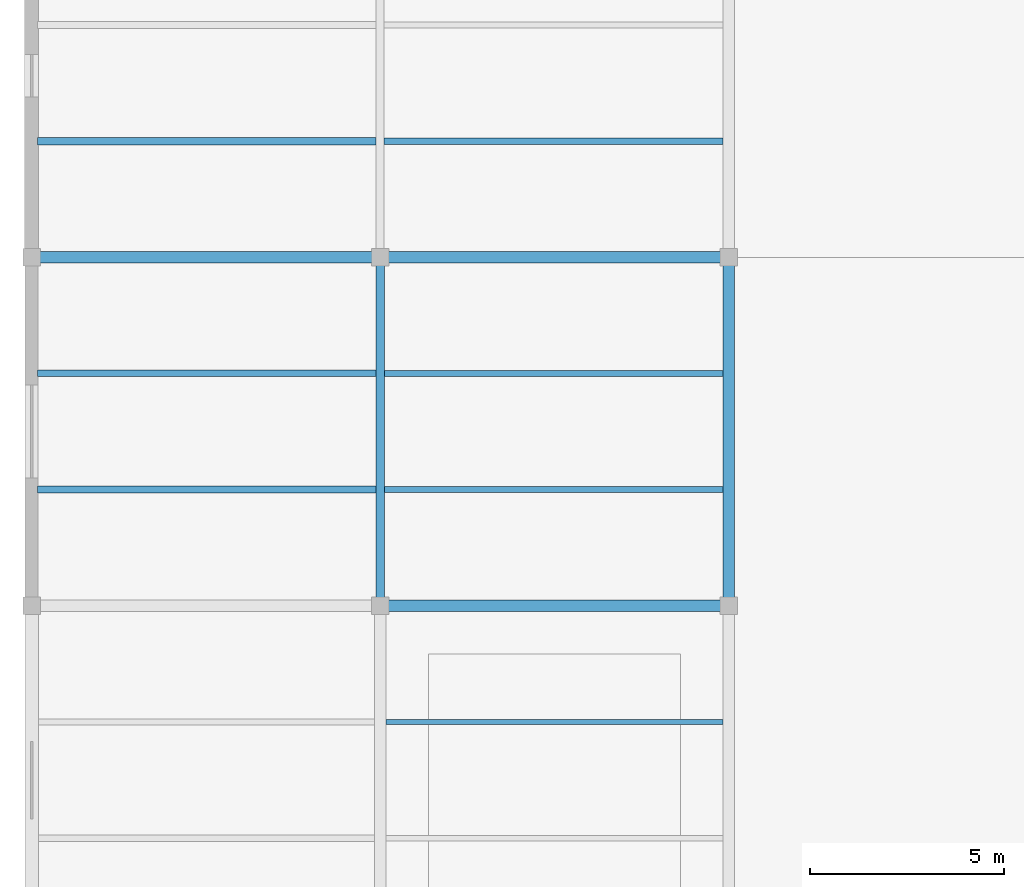
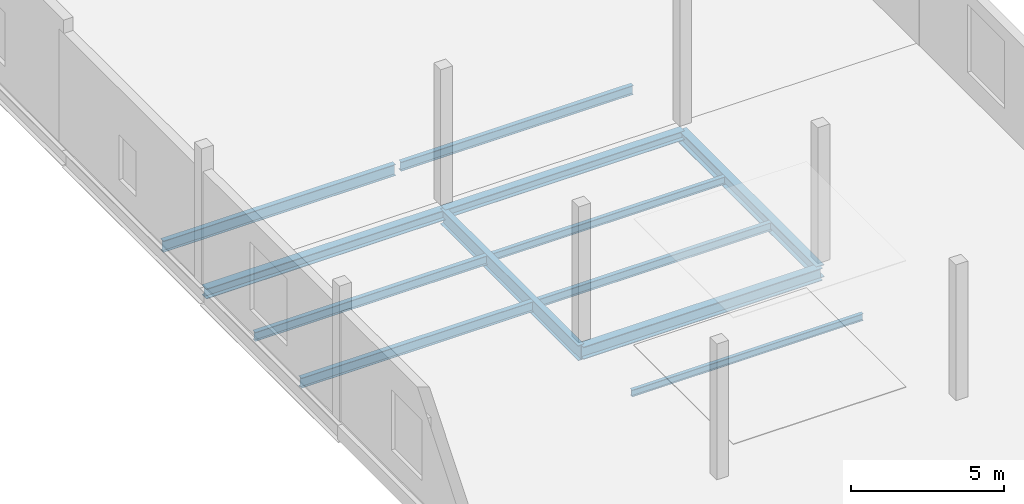
# One storey, part 13 of 147: 12 beams.
"""IFC4 building model written with IfcOpenShell, lengths in metres."""

from ifc_helpers import new_model, si_unit, direction, frame, origin, origin_2d, place, context, subcontext, project, spatial, i_section, extrude, material, material_profile, profile_set, type_object, element, save


model = new_model("IFC4")

# Units and contexts
model_context = context("Model", 3, precision=1e-05, world=origin(), true_north=direction((0.0, 1.0)))
body_context = subcontext(model_context, "Body", "Model", "MODEL_VIEW")
ifc_project = project(units=[si_unit("LENGTHUNIT", "METRE"), si_unit("AREAUNIT", "SQUARE_METRE"), si_unit("VOLUMEUNIT", "CUBIC_METRE"), si_unit("PLANEANGLEUNIT", "RADIAN"), si_unit("MASSUNIT", "GRAM", prefix="KILO")], contexts=[model_context])

# Site, building, storey
site_placement = place(None, origin())
site = spatial("IfcSite", under=ifc_project, at=site_placement, CompositionType="ELEMENT")
building_placement = place(site_placement, origin())
building = spatial("IfcBuilding", under=site, at=building_placement, Name="Sundgate Opera House", CompositionType="ELEMENT")
storey_placement = place(building_placement, frame((0.0, 0.0, 6.0)))
storey = spatial("IfcBuildingStorey", under=building, at=storey_placement, Name="L01", CompositionType="ELEMENT", Elevation=6.0)

# Beams
ifc_material_1 = material(Name="Steel S355J2", Category="steel")
ifc_material_profile_1 = material_profile(ifc_material_1, i_section(OverallWidth=0.300048828125, OverallDepth=0.360107421875, WebThickness=0.012451171875, FlangeThickness=0.0224609375, at=origin_2d()), Name="HEB 360")
ifc_profile_set_1 = profile_set([ifc_material_profile_1], Name="Steel S355J2")
beam_type_1 = type_object("IfcBeamType", Name="BM-GR-HEB360", PredefinedType="BEAM", material=ifc_profile_set_1)
beam_1_placement = place(storey_placement, frame((9.0, 60.0, -0.47998046875), z_axis=(1.0, 0.0, 0.0), x_axis=(0.0, 1.0, 0.0)))
element("IfcBeam", 1, at=beam_1_placement, inside=storey, type_object=beam_type_1, Name="L01 Primary E-W Girder B1343", PredefinedType="BEAM", context=body_context, shape_type="SweptSolid", body=[
    extrude(i_section(OverallWidth=0.300048828125, OverallDepth=0.360107421875, WebThickness=0.012451171875, FlangeThickness=0.0224609375, at=origin_2d()), origin(), (0.0, 0.0, 1.0), 9.0),
])
ifc_material_2 = material(Name="Steel S355J2", Category="steel")
ifc_material_profile_2 = material_profile(ifc_material_2, i_section(OverallWidth=0.300048828125, OverallDepth=0.39990234375, WebThickness=0.013427734375, FlangeThickness=0.02392578125, at=origin_2d()), Name="HEB 400")
ifc_profile_set_2 = profile_set([ifc_material_profile_2], Name="Steel S355J2")
beam_type_2 = type_object("IfcBeamType", Name="BM-GR-HEB400", PredefinedType="BEAM", material=ifc_profile_set_2)
beam_2_placement = place(storey_placement, frame((0.0, 60.0, -0.5), z_axis=(1.0, 0.0, 0.0), x_axis=(0.0, 1.0, 0.0)))
element("IfcBeam", 2, at=beam_2_placement, inside=storey, type_object=beam_type_2, Name="L01 Primary E-W Girder B1342", PredefinedType="BEAM", context=body_context, shape_type="SweptSolid", body=[
    extrude(i_section(OverallWidth=0.300048828125, OverallDepth=0.39990234375, WebThickness=0.013427734375, FlangeThickness=0.02392578125, at=origin_2d()), origin(), (0.0, 0.0, 1.0), 9.0),
])
ifc_material_3 = material(Name="Steel S355J2", Category="steel")
ifc_material_profile_3 = material_profile(ifc_material_3, i_section(OverallWidth=0.300048828125, OverallDepth=0.5, WebThickness=0.014404296875, FlangeThickness=0.028076171875, at=origin_2d()), Name="HEB 500")
ifc_profile_set_3 = profile_set([ifc_material_profile_3], Name="Steel S355J2")
beam_type_3 = type_object("IfcBeamType", Name="BM-GR-HEB500", PredefinedType="BEAM", material=ifc_profile_set_3)
for number, where, z_axis, x_axis, name in (
    (3, (18.0, 51.0, -0.550048828125), (0.0, 1.0, 0.0), (-1.0, 0.0, 0.0), "L01 Primary N-S Girder B1098"),
    (4, (9.0, 51.0, -0.550048828125), (1.0, 0.0, 0.0), (0.0, 1.0, 0.0), "L01 Primary E-W Girder B1340"),
):
    element("IfcBeam", number, at=place(storey_placement, frame(where, z_axis=z_axis, x_axis=x_axis)), inside=storey, type_object=beam_type_3, Name=name, PredefinedType="BEAM", context=body_context, shape_type="SweptSolid", body=[
        extrude(i_section(OverallWidth=0.300048828125, OverallDepth=0.5, WebThickness=0.014404296875, FlangeThickness=0.028076171875, at=origin_2d()), origin(), (0.0, 0.0, 1.0), 9.0),
    ])
ifc_material_4 = material(Name="Steel S355J2", Category="steel")
ifc_material_profile_4 = material_profile(ifc_material_4, i_section(OverallWidth=0.219970703125, OverallDepth=0.60009765625, WebThickness=0.011962890625, FlangeThickness=0.01904296875, at=origin_2d()), Name="IPE 600")
ifc_profile_set_4 = profile_set([ifc_material_profile_4], Name="Steel S355J2")
beam_type_4 = type_object("IfcBeamType", Name="BM-GR-IPE600", PredefinedType="BEAM", material=ifc_profile_set_4)
beam_3_placement = place(storey_placement, frame((9.0, 51.0, -0.60009765625), z_axis=(0.0, 1.0, 0.0), x_axis=(-1.0, 0.0, 0.0)))
element("IfcBeam", 5, at=beam_3_placement, inside=storey, type_object=beam_type_4, Name="L01 Primary N-S Girder B1086", PredefinedType="BEAM", context=body_context, shape_type="SweptSolid", body=[
    extrude(i_section(OverallWidth=0.219970703125, OverallDepth=0.60009765625, WebThickness=0.011962890625, FlangeThickness=0.01904296875, at=origin_2d()), origin(), (0.0, 0.0, 1.0), 9.0),
])
ifc_material_5 = material(Name="Steel S355J2", Category="steel")
ifc_material_profile_5 = material_profile(ifc_material_5, i_section(OverallWidth=0.135009765625, OverallDepth=0.27001953125, WebThickness=0.006591796875, FlangeThickness=0.01025390625, at=origin_2d()), Name="IPE 270")
ifc_profile_set_5 = profile_set([ifc_material_profile_5], Name="Steel S355J2")
beam_type_5 = type_object("IfcBeamType", Name="BM-JS-IPE270", PredefinedType="JOIST", material=ifc_profile_set_5)
beam_4_placement = place(storey_placement, frame((9.14990234375, 48.0, -0.43505859375), z_axis=(1.0, 0.0, 0.0), x_axis=(0.0, 1.0, 0.0)))
element("IfcBeam", 6, at=beam_4_placement, inside=storey, type_object=beam_type_5, Name="L01 Secondary Floor Joist B1573", PredefinedType="JOIST", context=body_context, shape_type="SweptSolid", body=[
    extrude(i_section(OverallWidth=0.135009765625, OverallDepth=0.27001953125, WebThickness=0.006591796875, FlangeThickness=0.01025390625, at=origin_2d()), origin(), (0.0, 0.0, 1.0), 8.7001953125),
])
ifc_material_6 = material(Name="Steel S355J2", Category="steel")
ifc_material_profile_6 = material_profile(ifc_material_6, i_section(OverallWidth=0.14990234375, OverallDepth=0.300048828125, WebThickness=0.007080078125, FlangeThickness=0.0107421875, at=origin_2d()), Name="IPE 300")
ifc_profile_set_6 = profile_set([ifc_material_profile_6], Name="Steel S355J2")
beam_type_6 = type_object("IfcBeamType", Name="BM-JS-IPE300", PredefinedType="JOIST", material=ifc_profile_set_6)
beam_5_placement = place(storey_placement, frame((9.110107421875, 57.0, -0.449951171875), z_axis=(1.0, 0.0, 0.0), x_axis=(0.0, 1.0, 0.0)))
element("IfcBeam", 7, at=beam_5_placement, inside=storey, type_object=beam_type_6, Name="L01 Secondary Floor Joist B1579", PredefinedType="JOIST", context=body_context, shape_type="SweptSolid", body=[
    extrude(i_section(OverallWidth=0.14990234375, OverallDepth=0.300048828125, WebThickness=0.007080078125, FlangeThickness=0.0107421875, at=origin_2d()), origin(), (0.0, 0.0, 1.0), 8.739990234375),
])
ifc_material_7 = material(Name="Steel S355J2", Category="steel")
ifc_material_profile_7 = material_profile(ifc_material_7, i_section(OverallWidth=0.159912109375, OverallDepth=0.330078125, WebThickness=0.007568359375, FlangeThickness=0.011474609375, at=origin_2d()), Name="IPE 330")
ifc_profile_set_7 = profile_set([ifc_material_profile_7], Name="Steel S355J2")
beam_type_7 = type_object("IfcBeamType", Name="BM-JS-IPE330", PredefinedType="JOIST", material=ifc_profile_set_7)
beam_6_placement = place(storey_placement, frame((9.110107421875, 54.0, -0.465087890625), z_axis=(1.0, 0.0, 0.0), x_axis=(0.0, 1.0, 0.0)))
element("IfcBeam", 8, at=beam_6_placement, inside=storey, type_object=beam_type_7, Name="L01 Secondary Floor Joist B1578", PredefinedType="JOIST", context=body_context, shape_type="SweptSolid", body=[
    extrude(i_section(OverallWidth=0.159912109375, OverallDepth=0.330078125, WebThickness=0.007568359375, FlangeThickness=0.011474609375, at=origin_2d()), origin(), (0.0, 0.0, 1.0), 8.739990234375),
])
ifc_material_8 = material(Name="Steel S355J2", Category="steel")
ifc_material_profile_8 = material_profile(ifc_material_8, i_section(OverallWidth=0.169921875, OverallDepth=0.360107421875, WebThickness=0.008056640625, FlangeThickness=0.0126953125, at=origin_2d()), Name="IPE 360")
ifc_profile_set_8 = profile_set([ifc_material_profile_8], Name="Steel S355J2")
beam_type_8 = type_object("IfcBeamType", Name="BM-JS-IPE360", PredefinedType="JOIST", material=ifc_profile_set_8)
beam_7_placement = place(storey_placement, frame((0.14990234375, 57.0, -0.47998046875), z_axis=(1.0, 0.0, 0.0), x_axis=(0.0, 1.0, 0.0)))
element("IfcBeam", 9, at=beam_7_placement, inside=storey, type_object=beam_type_8, Name="L01 Secondary Floor Joist B1577", PredefinedType="JOIST", context=body_context, shape_type="SweptSolid", body=[
    extrude(i_section(OverallWidth=0.169921875, OverallDepth=0.360107421875, WebThickness=0.008056640625, FlangeThickness=0.0126953125, at=origin_2d()), origin(), (0.0, 0.0, 1.0), 8.739990234375),
])
beam_8_placement = place(storey_placement, frame((9.10498046875, 63.0, -0.47998046875), z_axis=(1.0, 0.0, 0.0), x_axis=(0.0, 1.0, 0.0)))
element("IfcBeam", 10, at=beam_8_placement, inside=storey, type_object=beam_type_8, Name="L01 Secondary Floor Joist B1584", PredefinedType="JOIST", context=body_context, shape_type="SweptSolid", body=[
    extrude(i_section(OverallWidth=0.169921875, OverallDepth=0.360107421875, WebThickness=0.008056640625, FlangeThickness=0.0126953125, at=origin_2d()), origin(), (0.0, 0.0, 1.0), 8.7451171875),
])
ifc_material_9 = material(Name="Steel S355J2", Category="steel")
ifc_material_profile_9 = material_profile(ifc_material_9, i_section(OverallWidth=0.179931640625, OverallDepth=0.39990234375, WebThickness=0.008544921875, FlangeThickness=0.013427734375, at=origin_2d()), Name="IPE 400")
ifc_profile_set_9 = profile_set([ifc_material_profile_9], Name="Steel S355J2")
beam_type_9 = type_object("IfcBeamType", Name="BM-JS-IPE400", PredefinedType="JOIST", material=ifc_profile_set_9)
beam_9_placement = place(storey_placement, frame((0.14990234375, 54.0, -0.5), z_axis=(1.0, 0.0, 0.0), x_axis=(0.0, 1.0, 0.0)))
element("IfcBeam", 11, at=beam_9_placement, inside=storey, type_object=beam_type_9, Name="L01 Secondary Floor Joist B1576", PredefinedType="JOIST", context=body_context, shape_type="SweptSolid", body=[
    extrude(i_section(OverallWidth=0.179931640625, OverallDepth=0.39990234375, WebThickness=0.008544921875, FlangeThickness=0.013427734375, at=origin_2d()), origin(), (0.0, 0.0, 1.0), 8.739990234375),
])
ifc_material_10 = material(Name="Steel S355J2", Category="steel")
ifc_material_profile_10 = material_profile(ifc_material_10, i_section(OverallWidth=0.18994140625, OverallDepth=0.449951171875, WebThickness=0.009521484375, FlangeThickness=0.0146484375, at=origin_2d()), Name="IPE 450")
ifc_profile_set_10 = profile_set([ifc_material_profile_10], Name="Steel S355J2")
beam_type_10 = type_object("IfcBeamType", Name="BM-JS-IPE450", PredefinedType="JOIST", material=ifc_profile_set_10)
beam_10_placement = place(storey_placement, frame((0.14990234375, 63.0, -0.52490234375), z_axis=(1.0, 0.0, 0.0), x_axis=(0.0, 1.0, 0.0)))
element("IfcBeam", 12, at=beam_10_placement, inside=storey, type_object=beam_type_10, Name="L01 Secondary Floor Joist B1582", PredefinedType="JOIST", context=body_context, shape_type="SweptSolid", body=[
    extrude(i_section(OverallWidth=0.18994140625, OverallDepth=0.449951171875, WebThickness=0.009521484375, FlangeThickness=0.0146484375, at=origin_2d()), origin(), (0.0, 0.0, 1.0), 8.7451171875),
])

save(model, "model.ifc")
